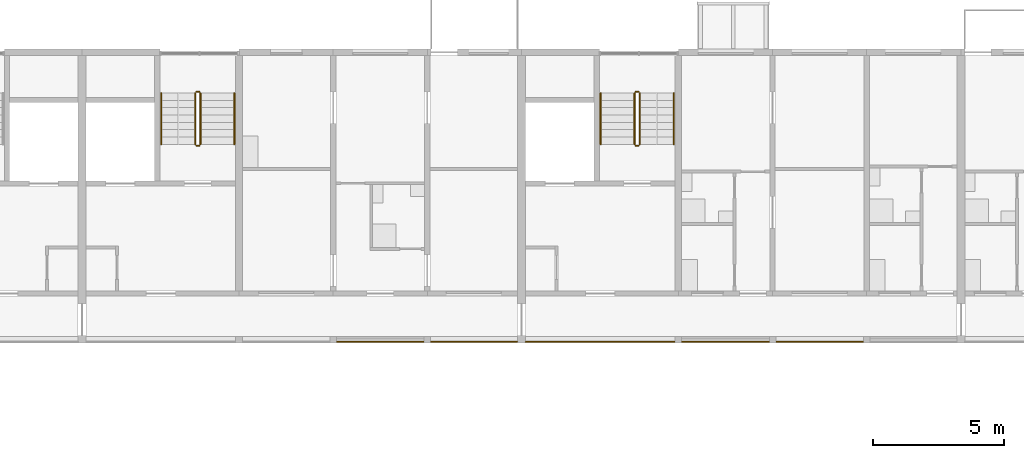
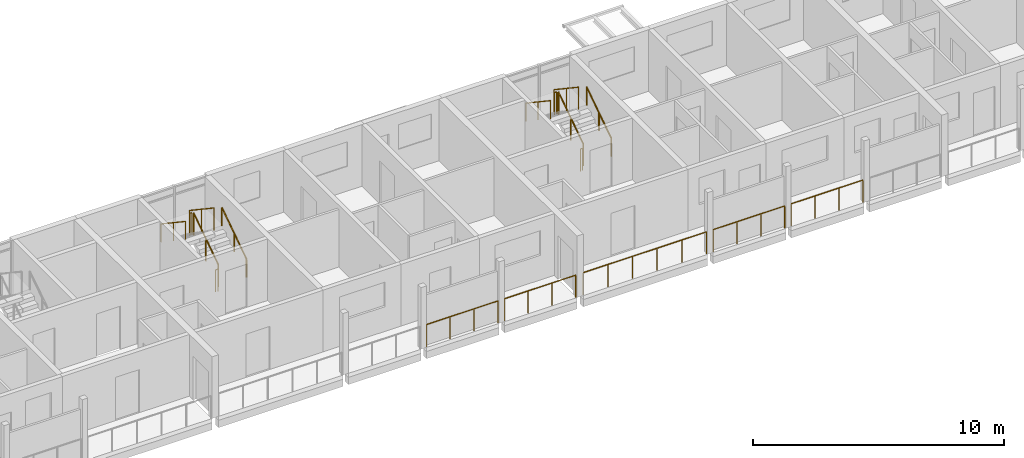
# One storey, part 80 of 98: 17 railings.
"""IFC4 building model written with IfcOpenShell, lengths in metres."""

from ifc_helpers import new_model, si_unit, direction, frame, origin, origin_2d, place, context, subcontext, project, spatial, circle, extrude, material, type_object, element, save


model = new_model("IFC4")

# Units and contexts
model_context = context("Model", 3, precision=1e-05, world=origin(), true_north=direction((0.0, 1.0)))
body_context = subcontext(model_context, "Body", "Model", "MODEL_VIEW")
ifc_project = project(units=[si_unit("LENGTHUNIT", "METRE"), si_unit("AREAUNIT", "SQUARE_METRE"), si_unit("VOLUMEUNIT", "CUBIC_METRE"), si_unit("PLANEANGLEUNIT", "RADIAN"), si_unit("MASSUNIT", "GRAM", prefix="KILO")], contexts=[model_context])

# Site, building, storey
site_placement = place(None, origin())
site = spatial("IfcSite", under=ifc_project, at=site_placement, CompositionType="ELEMENT")
building_placement = place(site_placement, origin())
building = spatial("IfcBuilding", under=site, at=building_placement, Name="Ridgestep Commons", CompositionType="ELEMENT")
storey_placement = place(building_placement, frame((0.0, 0.0, 12.0)))
storey = spatial("IfcBuildingStorey", under=building, at=storey_placement, Name="L04", CompositionType="ELEMENT", Elevation=12.0)

# Railings
ifc_material_1 = material(Name="Structural steel S355JR", Category="steel")
railing_type_1 = type_object("IfcRailingType", Name="Guard 1100", PredefinedType="GUARDRAIL", material=ifc_material_1)
railing_1_placement = place(storey_placement, frame((38.5458984375, 66.050048828125, 0.0)))
element("IfcRailing", 1, at=railing_1_placement, inside=storey, type_object=railing_type_1, Name="Gallery guard B 04.7", PredefinedType="GUARDRAIL", context=body_context, shape_type="SweptSolid", body=[
    extrude(circle(Radius=0.02392578125, at=origin_2d()), frame((0.0, 0.0, 1.076171875), z_axis=(1.0, 0.0, 0.0), x_axis=(0.0, 1.0, 0.0)), (0.0, 0.0, 1.0), 3.30810546875),
    extrude(circle(Radius=0.02099609375, at=origin_2d()), origin(), (0.0, 0.0, 1.0), 1.052001953125),
    extrude(circle(Radius=0.02099609375, at=origin_2d()), frame((1.102783203125, 0.0, 0.0)), (0.0, 0.0, 1.0), 1.052001953125),
    extrude(circle(Radius=0.02099609375, at=origin_2d()), frame((2.205322265625, 0.0, 0.0)), (0.0, 0.0, 1.0), 1.052001953125),
    extrude(circle(Radius=0.02099609375, at=origin_2d()), frame((3.30810546875, 0.0, 0.0)), (0.0, 0.0, 1.0), 1.052001953125),
])
railing_2_placement = place(storey_placement, frame((42.14599609375, 66.050048828125, 0.0)))
element("IfcRailing", 2, at=railing_2_placement, inside=storey, type_object=railing_type_1, Name="Gallery guard B 04.8", PredefinedType="GUARDRAIL", context=body_context, shape_type="SweptSolid", body=[
    extrude(circle(Radius=0.02392578125, at=origin_2d()), frame((0.0, 0.0, 1.076171875), z_axis=(1.0, 0.0, 0.0), x_axis=(0.0, 1.0, 0.0)), (0.0, 0.0, 1.0), 3.282958984375),
    extrude(circle(Radius=0.02099609375, at=origin_2d()), origin(), (0.0, 0.0, 1.0), 1.052001953125),
    extrude(circle(Radius=0.02099609375, at=origin_2d()), frame((1.09423828125, 0.0, 0.0)), (0.0, 0.0, 1.0), 1.052001953125),
    extrude(circle(Radius=0.02099609375, at=origin_2d()), frame((2.188720703125, 0.0, 0.0)), (0.0, 0.0, 1.0), 1.052001953125),
    extrude(circle(Radius=0.02099609375, at=origin_2d()), frame((3.282958984375, 0.0, 0.0)), (0.0, 0.0, 1.0), 1.052001953125),
])
railing_3_placement = place(storey_placement, frame((45.77099609375, 66.050048828125, 0.0)))
element("IfcRailing", 3, at=railing_3_placement, inside=storey, type_object=railing_type_1, Name="Gallery guard B 04.9", PredefinedType="GUARDRAIL", context=body_context, shape_type="SweptSolid", body=[
    extrude(circle(Radius=0.02392578125, at=origin_2d()), frame((0.0, 0.0, 1.076171875), z_axis=(1.0, 0.0, 0.0), x_axis=(0.0, 1.0, 0.0)), (0.0, 0.0, 1.0), 5.68310546875),
    extrude(circle(Radius=0.02099609375, at=origin_2d()), origin(), (0.0, 0.0, 1.0), 1.052001953125),
    extrude(circle(Radius=0.02099609375, at=origin_2d()), frame((1.13671875, 0.0, 0.0)), (0.0, 0.0, 1.0), 1.052001953125),
    extrude(circle(Radius=0.02099609375, at=origin_2d()), frame((2.273193359375, 0.0, 0.0)), (0.0, 0.0, 1.0), 1.052001953125),
    extrude(circle(Radius=0.02099609375, at=origin_2d()), frame((3.409912109375, 0.0, 0.0)), (0.0, 0.0, 1.0), 1.052001953125),
    extrude(circle(Radius=0.02099609375, at=origin_2d()), frame((4.54638671875, 0.0, 0.0)), (0.0, 0.0, 1.0), 1.052001953125),
    extrude(circle(Radius=0.02099609375, at=origin_2d()), frame((5.68310546875, 0.0, 0.0)), (0.0, 0.0, 1.0), 1.052001953125),
])
railing_4_placement = place(storey_placement, frame((51.74609375, 66.050048828125, 0.0)))
element("IfcRailing", 4, at=railing_4_placement, inside=storey, type_object=railing_type_1, Name="Gallery guard B 04.10", PredefinedType="GUARDRAIL", context=body_context, shape_type="SweptSolid", body=[
    extrude(circle(Radius=0.02392578125, at=origin_2d()), frame((0.0, 0.0, 1.076171875), z_axis=(1.0, 0.0, 0.0), x_axis=(0.0, 1.0, 0.0)), (0.0, 0.0, 1.0), 3.307861328125),
    extrude(circle(Radius=0.02099609375, at=origin_2d()), origin(), (0.0, 0.0, 1.0), 1.052001953125),
    extrude(circle(Radius=0.02099609375, at=origin_2d()), frame((1.1025390625, 0.0, 0.0)), (0.0, 0.0, 1.0), 1.052001953125),
    extrude(circle(Radius=0.02099609375, at=origin_2d()), frame((2.205322265625, 0.0, 0.0)), (0.0, 0.0, 1.0), 1.052001953125),
    extrude(circle(Radius=0.02099609375, at=origin_2d()), frame((3.307861328125, 0.0, 0.0)), (0.0, 0.0, 1.0), 1.052001953125),
])
railing_5_placement = place(storey_placement, frame((55.345947265625, 66.050048828125, 0.0)))
element("IfcRailing", 5, at=railing_5_placement, inside=storey, type_object=railing_type_1, Name="Gallery guard B 04.11", PredefinedType="GUARDRAIL", context=body_context, shape_type="SweptSolid", body=[
    extrude(circle(Radius=0.02392578125, at=origin_2d()), frame((0.0, 0.0, 1.076171875), z_axis=(1.0, 0.0, 0.0), x_axis=(0.0, 1.0, 0.0)), (0.0, 0.0, 1.0), 3.30810546875),
    extrude(circle(Radius=0.02099609375, at=origin_2d()), origin(), (0.0, 0.0, 1.0), 1.052001953125),
    extrude(circle(Radius=0.02099609375, at=origin_2d()), frame((1.102783203125, 0.0, 0.0)), (0.0, 0.0, 1.0), 1.052001953125),
    extrude(circle(Radius=0.02099609375, at=origin_2d()), frame((2.205322265625, 0.0, 0.0)), (0.0, 0.0, 1.0), 1.052001953125),
    extrude(circle(Radius=0.02099609375, at=origin_2d()), frame((3.30810546875, 0.0, 0.0)), (0.0, 0.0, 1.0), 1.052001953125),
])
ifc_material_2 = material(Name="Structural steel S355JR", Category="steel")
railing_type_2 = type_object("IfcRailingType", Name="Stair guard 1100", PredefinedType="GUARDRAIL", material=ifc_material_2)
railing_6_placement = place(storey_placement, frame((33.324951171875, 73.60009765625, 0.1875)))
element("IfcRailing", 6, at=railing_6_placement, inside=storey, type_object=railing_type_2, Name="L04 B2C stair guard 1", PredefinedType="GUARDRAIL", context=body_context, shape_type="SweptSolid", body=[
    extrude(circle(Radius=0.02392578125, at=origin_2d()), frame((0.0, 0.0, 1.076171875), z_axis=(0.0, 0.830902050051, 0.556418712142), x_axis=(-1.0, 0.0, 0.0)), (0.0, 0.0, 1.0), 2.35888671875),
    extrude(circle(Radius=0.02099609375, at=origin_2d()), origin(), (0.0, 0.0, 1.0), 1.052001953125),
    extrude(circle(Radius=0.02099609375, at=origin_2d()), frame((0.0, 0.97998046875, 0.65625)), (0.0, 0.0, 1.0), 1.052001953125),
    extrude(circle(Radius=0.02099609375, at=origin_2d()), frame((0.0, 1.9599609375, 1.3125)), (0.0, 0.0, 1.0), 1.052001953125),
])
railing_7_placement = place(storey_placement, frame((33.27490234375, 75.610107421875, 1.5)))
element("IfcRailing", 7, at=railing_7_placement, inside=storey, type_object=railing_type_2, Name="L04 B2C stair guard 2", PredefinedType="GUARDRAIL", context=body_context, shape_type="SweptSolid", body=[
    extrude(circle(Radius=0.02392578125, at=origin_2d()), frame((0.0, 0.0, 1.076171875), z_axis=(-1.0, 0.0, 0.0), x_axis=(0.0, -1.0, 0.0)), (0.0, 0.0, 1.0), 0.099853515625),
    extrude(circle(Radius=0.02099609375, at=origin_2d()), origin(), (0.0, 0.0, 1.0), 1.052001953125),
    extrude(circle(Radius=0.02099609375, at=origin_2d()), frame((-0.099853515625, 0.0, 0.0)), (0.0, 0.0, 1.0), 1.052001953125),
])
railing_8_placement = place(storey_placement, frame((33.125, 75.56005859375, 1.6875)))
element("IfcRailing", 8, at=railing_8_placement, inside=storey, type_object=railing_type_2, Name="L04 B2C stair guard 3", PredefinedType="GUARDRAIL", context=body_context, shape_type="SweptSolid", body=[
    extrude(circle(Radius=0.02392578125, at=origin_2d()), frame((0.0, 0.0, 1.076171875), z_axis=(0.0, -0.830902050051, 0.556418712142), x_axis=(1.0, 0.0, 0.0)), (0.0, 0.0, 1.0), 2.35888671875),
    extrude(circle(Radius=0.02099609375, at=origin_2d()), origin(), (0.0, 0.0, 1.0), 1.052001953125),
    extrude(circle(Radius=0.02099609375, at=origin_2d()), frame((0.0, -0.97998046875, 0.65625)), (0.0, 0.0, 1.0), 1.052001953125),
    extrude(circle(Radius=0.02099609375, at=origin_2d()), frame((0.0, -1.9599609375, 1.3125)), (0.0, 0.0, 1.0), 1.052001953125),
])
railing_9_placement = place(storey_placement, frame((33.27490234375, 73.550048828125, 0.0)))
element("IfcRailing", 9, at=railing_9_placement, inside=storey, type_object=railing_type_2, Name="L04 B2C stair guard 4", PredefinedType="GUARDRAIL", context=body_context, shape_type="SweptSolid", body=[
    extrude(circle(Radius=0.02392578125, at=origin_2d()), frame((0.0, 0.0, 1.076171875), z_axis=(-1.0, 0.0, 0.0), x_axis=(0.0, -1.0, 0.0)), (0.0, 0.0, 1.0), 0.099853515625),
    extrude(circle(Radius=0.02099609375, at=origin_2d()), origin(), (0.0, 0.0, 1.0), 1.052001953125),
    extrude(circle(Radius=0.02099609375, at=origin_2d()), frame((-0.099853515625, 0.0, 0.0)), (0.0, 0.0, 1.0), 1.052001953125),
])
railing_10_placement = place(storey_placement, frame((50.125, 73.60009765625, 0.1875)))
element("IfcRailing", 10, at=railing_10_placement, inside=storey, type_object=railing_type_2, Name="L04 B3C stair guard 1", PredefinedType="GUARDRAIL", context=body_context, shape_type="SweptSolid", body=[
    extrude(circle(Radius=0.02392578125, at=origin_2d()), frame((0.0, 0.0, 1.076171875), z_axis=(0.0, 0.830902050051, 0.556418712142), x_axis=(-1.0, 0.0, 0.0)), (0.0, 0.0, 1.0), 2.35888671875),
    extrude(circle(Radius=0.02099609375, at=origin_2d()), origin(), (0.0, 0.0, 1.0), 1.052001953125),
    extrude(circle(Radius=0.02099609375, at=origin_2d()), frame((0.0, 0.97998046875, 0.65625)), (0.0, 0.0, 1.0), 1.052001953125),
    extrude(circle(Radius=0.02099609375, at=origin_2d()), frame((0.0, 1.9599609375, 1.3125)), (0.0, 0.0, 1.0), 1.052001953125),
])
railing_11_placement = place(storey_placement, frame((50.074951171875, 75.610107421875, 1.5)))
element("IfcRailing", 11, at=railing_11_placement, inside=storey, type_object=railing_type_2, Name="L04 B3C stair guard 2", PredefinedType="GUARDRAIL", context=body_context, shape_type="SweptSolid", body=[
    extrude(circle(Radius=0.02392578125, at=origin_2d()), frame((0.0, 0.0, 1.076171875), z_axis=(-1.0, 0.0, 0.0), x_axis=(0.0, -1.0, 0.0)), (0.0, 0.0, 1.0), 0.099853515625),
    extrude(circle(Radius=0.02099609375, at=origin_2d()), origin(), (0.0, 0.0, 1.0), 1.052001953125),
    extrude(circle(Radius=0.02099609375, at=origin_2d()), frame((-0.099853515625, 0.0, 0.0)), (0.0, 0.0, 1.0), 1.052001953125),
])
railing_12_placement = place(storey_placement, frame((49.925048828125, 75.56005859375, 1.6875)))
element("IfcRailing", 12, at=railing_12_placement, inside=storey, type_object=railing_type_2, Name="L04 B3C stair guard 3", PredefinedType="GUARDRAIL", context=body_context, shape_type="SweptSolid", body=[
    extrude(circle(Radius=0.02392578125, at=origin_2d()), frame((0.0, 0.0, 1.076171875), z_axis=(0.0, -0.830902050051, 0.556418712142), x_axis=(1.0, 0.0, 0.0)), (0.0, 0.0, 1.0), 2.35888671875),
    extrude(circle(Radius=0.02099609375, at=origin_2d()), origin(), (0.0, 0.0, 1.0), 1.052001953125),
    extrude(circle(Radius=0.02099609375, at=origin_2d()), frame((0.0, -0.97998046875, 0.65625)), (0.0, 0.0, 1.0), 1.052001953125),
    extrude(circle(Radius=0.02099609375, at=origin_2d()), frame((0.0, -1.9599609375, 1.3125)), (0.0, 0.0, 1.0), 1.052001953125),
])
railing_13_placement = place(storey_placement, frame((50.074951171875, 73.550048828125, 0.0)))
element("IfcRailing", 13, at=railing_13_placement, inside=storey, type_object=railing_type_2, Name="L04 B3C stair guard 4", PredefinedType="GUARDRAIL", context=body_context, shape_type="SweptSolid", body=[
    extrude(circle(Radius=0.02392578125, at=origin_2d()), frame((0.0, 0.0, 1.076171875), z_axis=(-1.0, 0.0, 0.0), x_axis=(0.0, -1.0, 0.0)), (0.0, 0.0, 1.0), 0.099853515625),
    extrude(circle(Radius=0.02099609375, at=origin_2d()), origin(), (0.0, 0.0, 1.0), 1.052001953125),
    extrude(circle(Radius=0.02099609375, at=origin_2d()), frame((-0.099853515625, 0.0, 0.0)), (0.0, 0.0, 1.0), 1.052001953125),
])
ifc_material_3 = material(Name="Structural steel S355JR", Category="steel")
railing_type_3 = type_object("IfcRailingType", Name="Stair handrail 900", PredefinedType="HANDRAIL", material=ifc_material_3)
railing_14_placement = place(storey_placement, frame((34.625, 73.60009765625, 0.1875)))
element("IfcRailing", 14, at=railing_14_placement, inside=storey, type_object=railing_type_3, Name="L04 B2C stair handrail 1", PredefinedType="HANDRAIL", context=body_context, shape_type="SweptSolid", body=[
    extrude(circle(Radius=0.02392578125, at=origin_2d()), frame((0.0, 0.0, 0.8759765625), z_axis=(0.0, 0.830902050051, 0.556418712142), x_axis=(-1.0, 0.0, 0.0)), (0.0, 0.0, 1.0), 2.35888671875),
    extrude(circle(Radius=0.02099609375, at=origin_2d()), origin(), (0.0, 0.0, 1.0), 0.851806640625),
    extrude(circle(Radius=0.02099609375, at=origin_2d()), frame((0.0, 0.97998046875, 0.65625)), (0.0, 0.0, 1.0), 0.851806640625),
    extrude(circle(Radius=0.02099609375, at=origin_2d()), frame((0.0, 1.9599609375, 1.3125)), (0.0, 0.0, 1.0), 0.851806640625),
])
railing_15_placement = place(storey_placement, frame((31.824951171875, 75.56005859375, 1.6875)))
element("IfcRailing", 15, at=railing_15_placement, inside=storey, type_object=railing_type_3, Name="L04 B2C stair handrail 2", PredefinedType="HANDRAIL", context=body_context, shape_type="SweptSolid", body=[
    extrude(circle(Radius=0.02392578125, at=origin_2d()), frame((0.0, 0.0, 0.8759765625), z_axis=(0.0, -0.830902050051, 0.556418712142), x_axis=(1.0, 0.0, 0.0)), (0.0, 0.0, 1.0), 2.35888671875),
    extrude(circle(Radius=0.02099609375, at=origin_2d()), origin(), (0.0, 0.0, 1.0), 0.851806640625),
    extrude(circle(Radius=0.02099609375, at=origin_2d()), frame((0.0, -0.97998046875, 0.65625)), (0.0, 0.0, 1.0), 0.851806640625),
    extrude(circle(Radius=0.02099609375, at=origin_2d()), frame((0.0, -1.9599609375, 1.3125)), (0.0, 0.0, 1.0), 0.851806640625),
])
railing_16_placement = place(storey_placement, frame((51.425048828125, 73.60009765625, 0.1875)))
element("IfcRailing", 16, at=railing_16_placement, inside=storey, type_object=railing_type_3, Name="L04 B3C stair handrail 1", PredefinedType="HANDRAIL", context=body_context, shape_type="SweptSolid", body=[
    extrude(circle(Radius=0.02392578125, at=origin_2d()), frame((0.0, 0.0, 0.8759765625), z_axis=(0.0, 0.830902050051, 0.556418712142), x_axis=(-1.0, 0.0, 0.0)), (0.0, 0.0, 1.0), 2.35888671875),
    extrude(circle(Radius=0.02099609375, at=origin_2d()), origin(), (0.0, 0.0, 1.0), 0.851806640625),
    extrude(circle(Radius=0.02099609375, at=origin_2d()), frame((0.0, 0.97998046875, 0.65625)), (0.0, 0.0, 1.0), 0.851806640625),
    extrude(circle(Radius=0.02099609375, at=origin_2d()), frame((0.0, 1.9599609375, 1.3125)), (0.0, 0.0, 1.0), 0.851806640625),
])
railing_17_placement = place(storey_placement, frame((48.625, 75.56005859375, 1.6875)))
element("IfcRailing", 17, at=railing_17_placement, inside=storey, type_object=railing_type_3, Name="L04 B3C stair handrail 2", PredefinedType="HANDRAIL", context=body_context, shape_type="SweptSolid", body=[
    extrude(circle(Radius=0.02392578125, at=origin_2d()), frame((0.0, 0.0, 0.8759765625), z_axis=(0.0, -0.830902050051, 0.556418712142), x_axis=(1.0, 0.0, 0.0)), (0.0, 0.0, 1.0), 2.35888671875),
    extrude(circle(Radius=0.02099609375, at=origin_2d()), origin(), (0.0, 0.0, 1.0), 0.851806640625),
    extrude(circle(Radius=0.02099609375, at=origin_2d()), frame((0.0, -0.97998046875, 0.65625)), (0.0, 0.0, 1.0), 0.851806640625),
    extrude(circle(Radius=0.02099609375, at=origin_2d()), frame((0.0, -1.9599609375, 1.3125)), (0.0, 0.0, 1.0), 0.851806640625),
])

save(model, "model.ifc")
